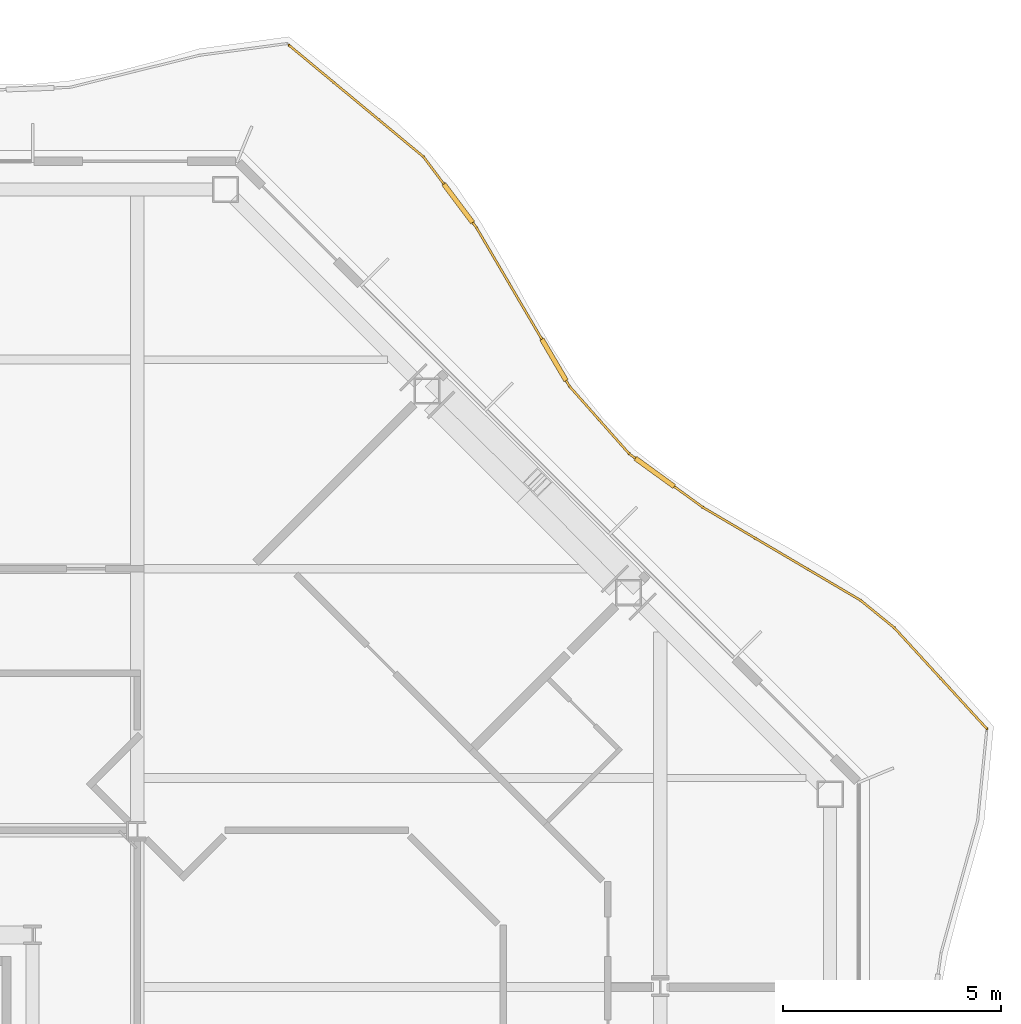
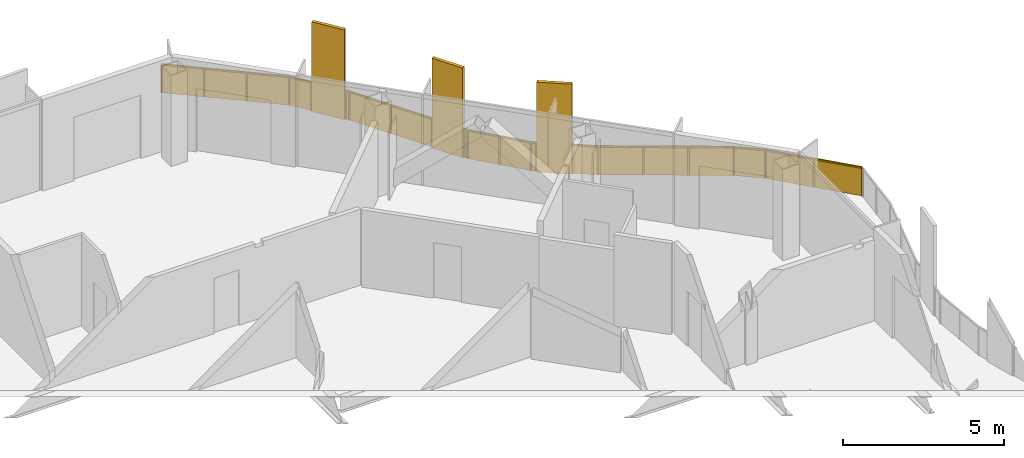
# One storey, part 21 of 21: 1 railing.
"""IFC4 building model written with IfcOpenShell, lengths in metres."""

from ifc_helpers import new_model, si_unit, direction, frame, origin, origin_2d, place, context, subcontext, project, spatial, polyline, rectangle, outline, extrude, material, type_object, element, save


model = new_model("IFC4")

# Units and contexts
model_context = context("Model", 3, precision=1e-05, world=origin(), true_north=direction((0.0, 1.0)))
body_context = subcontext(model_context, "Body", "Model", "MODEL_VIEW")
ifc_project = project(units=[si_unit("LENGTHUNIT", "METRE"), si_unit("AREAUNIT", "SQUARE_METRE"), si_unit("VOLUMEUNIT", "CUBIC_METRE"), si_unit("PLANEANGLEUNIT", "RADIAN"), si_unit("MASSUNIT", "GRAM", prefix="KILO")], contexts=[model_context])

# Site, building, storey
site_placement = place(None, origin())
site = spatial("IfcSite", under=ifc_project, at=site_placement, CompositionType="ELEMENT")
building_placement = place(site_placement, origin())
building = spatial("IfcBuilding", under=site, at=building_placement, Name="Cairn Pilgrim Tower", CompositionType="ELEMENT")
storey_placement = place(building_placement, frame((0.0, 0.0, 157.800048828125)))
storey = spatial("IfcBuildingStorey", under=building, at=storey_placement, Name="L39", CompositionType="ELEMENT", Elevation=157.800048828125)

# Railing
ifc_material = material(Name="Bronze anodised aluminium rail, posts and fin screens with laminated glass infill", Category="aluminium")
railing_type = type_object("IfcRailingType", Name="BALCONY GUARD WITH FIN SCREENS", PredefinedType="GUARDRAIL", material=ifc_material)
railing_placement = place(storey_placement, frame((38.694580078125, 15.52880859375, 0.0)))
element("IfcRailing", 1, at=railing_placement, inside=storey, type_object=railing_type, Name="Balcony guard BGF-4 with fin screens", PredefinedType="GUARDRAIL", context=body_context, shape_type="SweptSolid", body=[
    extrude(rectangle(XDim=0.050048828125, YDim=0.050048828125, at=origin_2d()), frame((0.0, 0.0, 1.0751953125), z_axis=(-0.675629630631, 0.737241210333, 0.0), x_axis=(-0.737241210333, -0.675629630631, 0.0)), (0.0, 0.0, 1.0), 3.142333984375),
    extrude(rectangle(XDim=0.050048828125, YDim=0.050048828125, at=origin_2d()), frame((-2.123046875, 2.316650390625, 1.0751953125), z_axis=(-0.775487030339, 0.631363497342, 0.0), x_axis=(-0.631363497342, -0.775487030339, 0.0)), (0.0, 0.0, 1.0), 1.001220703125),
    extrude(rectangle(XDim=0.050048828125, YDim=0.050048828125, at=origin_2d()), frame((-2.8994140625, 2.94873046875, 1.0751953125), z_axis=(-0.86139458177, 0.507936388239, 0.0), x_axis=(-0.507936388239, -0.86139458177, 0.0)), (0.0, 0.0, 1.0), 4.202392578125),
    extrude(rectangle(XDim=1.10009765625, YDim=0.110107421875, at=origin_2d()), frame((-7.618896484375, 5.88232421875, 0.0), z_axis=(0.0, 0.0, 1.0), x_axis=(-0.80892840952, 0.587907159568, 0.0)), (0.0, 0.0, 1.0), 3.39990234375),
    extrude(rectangle(XDim=0.050048828125, YDim=0.050048828125, at=origin_2d()), frame((-6.519287109375, 5.083251953125, 1.0751953125), z_axis=(-0.80892840952, 0.587907159568, 0.0), x_axis=(-0.587907159568, -0.80892840952, 0.0)), (0.0, 0.0, 1.0), 0.809326171875),
    extrude(rectangle(XDim=0.050048828125, YDim=0.050048828125, at=origin_2d()), frame((-8.063720703125, 6.205810546875, 1.0751953125), z_axis=(-0.80892840952, 0.587907159568, 0.0), x_axis=(-0.587907159568, -0.80892840952, 0.0)), (0.0, 0.0, 1.0), 0.17626953125),
    extrude(rectangle(XDim=0.050048828125, YDim=0.050048828125, at=origin_2d()), frame((-8.206298828125, 6.309326171875, 1.0751953125), z_axis=(-0.662708672742, 0.748877303083, 0.0), x_axis=(-0.748877303083, -0.662708672742, 0.0)), (0.0, 0.0, 1.0), 2.071044921875),
    extrude(rectangle(XDim=1.10009765625, YDim=0.110107421875, at=origin_2d()), frame((-9.932861328125, 8.46435546875, 0.0), z_axis=(0.0, 0.0, 1.0), x_axis=(-0.505688288357, 0.862716265651, 0.0)), (0.0, 0.0, 1.0), 3.39990234375),
    extrude(rectangle(XDim=0.050048828125, YDim=0.050048828125, at=origin_2d()), frame((-9.578857421875, 7.8603515625, 1.0751953125), z_axis=(-0.505688288357, 0.862716265651, 0.0), x_axis=(-0.862716265651, -0.505688288357, 0.0)), (0.0, 0.0, 1.0), 0.150146484375),
    extrude(rectangle(XDim=0.050048828125, YDim=0.050048828125, at=origin_2d()), frame((-10.2109375, 8.938720703125, 1.0751953125), z_axis=(-0.505688288357, 0.862716265651, 0.0), x_axis=(-0.862716265651, -0.505688288357, 0.0)), (0.0, 0.0, 1.0), 2.965576171875),
    extrude(rectangle(XDim=1.10009765625, YDim=0.110107421875, at=origin_2d()), frame((-12.129638671875, 12.057861328125, 0.0), z_axis=(0.0, 0.0, 1.0), x_axis=(-0.598826222825, 0.800878988897, 0.0)), (0.0, 0.0, 1.0), 3.39990234375),
    extrude(rectangle(XDim=0.050048828125, YDim=0.050048828125, at=origin_2d()), frame((-11.710693359375, 11.497314453125, 1.0751953125), z_axis=(-0.598826222825, 0.800878988897, 0.0), x_axis=(-0.800878988897, -0.598826222825, 0.0)), (0.0, 0.0, 1.0), 0.149658203125),
    extrude(rectangle(XDim=0.050048828125, YDim=0.050048828125, at=origin_2d()), frame((-12.458984375, 12.498291015625, 1.0751953125), z_axis=(-0.598826222825, 0.800878988897, 0.0), x_axis=(-0.800878988897, -0.598826222825, 0.0)), (0.0, 0.0, 1.0), 0.781494140625),
    extrude(rectangle(XDim=0.050048828125, YDim=0.050048828125, at=origin_2d()), frame((-12.927001953125, 13.1240234375, 1.0751953125), z_axis=(-0.769606891949, 0.638517996508, 0.0), x_axis=(-0.638517996508, -0.769606891949, 0.0)), (0.0, 0.0, 1.0), 4.009765625),
    extrude(rectangle(XDim=0.050048828125, YDim=0.050048828125, at=origin_2d()), origin(), (0.0, 0.0, 1.0), 1.050048828125),
    extrude(rectangle(XDim=0.050048828125, YDim=0.050048828125, at=origin_2d()), frame((-1.0615234375, 1.158203125, 0.0)), (0.0, 0.0, 1.0), 1.050048828125),
    extrude(rectangle(XDim=0.050048828125, YDim=0.050048828125, at=origin_2d()), frame((-2.123046875, 2.316650390625, 0.0)), (0.0, 0.0, 1.0), 1.050048828125),
    extrude(rectangle(XDim=0.050048828125, YDim=0.050048828125, at=origin_2d()), frame((-2.8994140625, 2.94873046875, 0.0)), (0.0, 0.0, 1.0), 1.050048828125),
    extrude(rectangle(XDim=0.050048828125, YDim=0.050048828125, at=origin_2d()), frame((-4.10595703125, 3.66015625, 0.0)), (0.0, 0.0, 1.0), 1.050048828125),
    extrude(rectangle(XDim=0.050048828125, YDim=0.050048828125, at=origin_2d()), frame((-5.312744140625, 4.371826171875, 0.0)), (0.0, 0.0, 1.0), 1.050048828125),
    extrude(rectangle(XDim=0.050048828125, YDim=0.050048828125, at=origin_2d()), frame((-6.519287109375, 5.083251953125, 0.0)), (0.0, 0.0, 1.0), 1.050048828125),
    extrude(rectangle(XDim=0.050048828125, YDim=0.050048828125, at=origin_2d()), frame((-7.15380859375, 5.54443359375, 0.0)), (0.0, 0.0, 1.0), 1.050048828125),
    extrude(rectangle(XDim=0.050048828125, YDim=0.050048828125, at=origin_2d()), frame((-8.083984375, 6.220458984375, 0.0)), (0.0, 0.0, 1.0), 1.050048828125),
    extrude(rectangle(XDim=0.050048828125, YDim=0.050048828125, at=origin_2d()), frame((-8.206298828125, 6.309326171875, 0.0)), (0.0, 0.0, 1.0), 1.050048828125),
    extrude(rectangle(XDim=0.050048828125, YDim=0.050048828125, at=origin_2d()), frame((-8.892578125, 7.0849609375, 0.0)), (0.0, 0.0, 1.0), 1.050048828125),
    extrude(rectangle(XDim=0.050048828125, YDim=0.050048828125, at=origin_2d()), frame((-9.578857421875, 7.8603515625, 0.0)), (0.0, 0.0, 1.0), 1.050048828125),
    extrude(rectangle(XDim=0.050048828125, YDim=0.050048828125, at=origin_2d()), frame((-9.64208984375, 7.96826171875, 0.0)), (0.0, 0.0, 1.0), 1.050048828125),
    extrude(rectangle(XDim=0.050048828125, YDim=0.050048828125, at=origin_2d()), frame((-10.2236328125, 8.96044921875, 0.0)), (0.0, 0.0, 1.0), 1.050048828125),
    extrude(rectangle(XDim=0.050048828125, YDim=0.050048828125, at=origin_2d()), frame((-10.96728515625, 10.228759765625, 0.0)), (0.0, 0.0, 1.0), 1.050048828125),
    extrude(rectangle(XDim=0.050048828125, YDim=0.050048828125, at=origin_2d()), frame((-11.710693359375, 11.497314453125, 0.0)), (0.0, 0.0, 1.0), 1.050048828125),
    extrude(rectangle(XDim=0.050048828125, YDim=0.050048828125, at=origin_2d()), frame((-11.785400390625, 11.59716796875, 0.0)), (0.0, 0.0, 1.0), 1.050048828125),
    extrude(rectangle(XDim=0.050048828125, YDim=0.050048828125, at=origin_2d()), frame((-12.47412109375, 12.518310546875, 0.0)), (0.0, 0.0, 1.0), 1.050048828125),
    extrude(rectangle(XDim=0.050048828125, YDim=0.050048828125, at=origin_2d()), frame((-12.927001953125, 13.1240234375, 0.0)), (0.0, 0.0, 1.0), 1.050048828125),
    extrude(rectangle(XDim=0.050048828125, YDim=0.050048828125, at=origin_2d()), frame((-13.95556640625, 13.9775390625, 0.0)), (0.0, 0.0, 1.0), 1.050048828125),
    extrude(rectangle(XDim=0.050048828125, YDim=0.050048828125, at=origin_2d()), frame((-14.984375, 14.830810546875, 0.0)), (0.0, 0.0, 1.0), 1.050048828125),
    extrude(rectangle(XDim=0.050048828125, YDim=0.050048828125, at=origin_2d()), frame((-16.012939453125, 15.684326171875, 0.0)), (0.0, 0.0, 1.0), 1.050048828125),
    extrude(outline(polyline([(0.02490234375, 0.0), (1.546142578125, 0.0), (1.546142578125, 1.050048828125), (0.02490234375, 1.050048828125), (0.02490234375, 0.0)])), frame((-0.00439453125, -0.004150390625, 0.0), z_axis=(0.737241210333, 0.675629630631, 0.0), x_axis=(-0.675629630631, 0.737241210333, 0.0)), (0.0, 0.0, 1.0), 0.011962890625),
    extrude(outline(polyline([(0.02490234375, 0.0), (1.546142578125, 0.0), (1.546142578125, 1.050048828125), (0.02490234375, 1.050048828125), (0.02490234375, 0.0)])), frame((-1.06591796875, 1.154296875, 0.0), z_axis=(0.737241210333, 0.675629630631, 0.0), x_axis=(-0.675629630631, 0.737241210333, 0.0)), (0.0, 0.0, 1.0), 0.011962890625),
    extrude(outline(polyline([(0.02490234375, 0.0), (0.97607421875, 0.0), (0.97607421875, 1.050048828125), (0.02490234375, 1.050048828125), (0.02490234375, 0.0)])), frame((-2.126708984375, 2.31201171875, 0.0), z_axis=(0.631363497342, 0.775487030339, 0.0), x_axis=(-0.775487030339, 0.631363497342, 0.0)), (0.0, 0.0, 1.0), 0.011962890625),
    extrude(outline(polyline([(0.02490234375, 0.0), (1.375732421875, 0.0), (1.375732421875, 1.050048828125), (0.02490234375, 1.050048828125), (0.02490234375, 0.0)])), frame((-2.90234375, 2.943603515625, 0.0), z_axis=(0.507936388239, 0.86139458177, 0.0), x_axis=(-0.86139458177, 0.507936388239, 0.0)), (0.0, 0.0, 1.0), 0.011962890625),
    extrude(outline(polyline([(0.02490234375, 0.0), (1.375732421875, 0.0), (1.375732421875, 1.050048828125), (0.02490234375, 1.050048828125), (0.02490234375, 0.0)])), frame((-4.109130859375, 3.655029296875, 0.0), z_axis=(0.507936388239, 0.86139458177, 0.0), x_axis=(-0.86139458177, 0.507936388239, 0.0)), (0.0, 0.0, 1.0), 0.011962890625),
    extrude(outline(polyline([(0.02490234375, 0.0), (1.375732421875, 0.0), (1.375732421875, 1.050048828125), (0.02490234375, 1.050048828125), (0.02490234375, 0.0)])), frame((-5.315673828125, 4.36669921875, 0.0), z_axis=(0.507936388239, 0.86139458177, 0.0), x_axis=(-0.86139458177, 0.507936388239, 0.0)), (0.0, 0.0, 1.0), 0.011962890625),
    extrude(outline(polyline([(0.02490234375, 0.0), (0.75927734375, 0.0), (0.75927734375, 1.050048828125), (0.02490234375, 1.050048828125), (0.02490234375, 0.0)])), frame((-6.522705078125, 5.078369140625, 0.0), z_axis=(0.587907159568, 0.80892840952, 0.0), x_axis=(-0.80892840952, 0.587907159568, 0.0)), (0.0, 0.0, 1.0), 0.011962890625),
    extrude(outline(polyline([(0.02490234375, 0.0), (0.126220703125, 0.0), (0.126220703125, 1.050048828125), (0.02490234375, 1.050048828125), (0.02490234375, 0.0)])), frame((-8.087646484375, 6.215576171875, 0.0), z_axis=(0.587907159568, 0.80892840952, 0.0), x_axis=(-0.80892840952, 0.587907159568, 0.0)), (0.0, 0.0, 1.0), 0.011962890625),
    extrude(outline(polyline([(0.02490234375, 0.0), (1.010498046875, 0.0), (1.010498046875, 1.050048828125), (0.02490234375, 1.050048828125), (0.02490234375, 0.0)])), frame((-8.210693359375, 6.305419921875, 0.0), z_axis=(0.748877303083, 0.662708672742, 0.0), x_axis=(-0.662708672742, 0.748877303083, 0.0)), (0.0, 0.0, 1.0), 0.011962890625),
    extrude(outline(polyline([(0.02490234375, 0.0), (1.010498046875, 0.0), (1.010498046875, 1.050048828125), (0.02490234375, 1.050048828125), (0.02490234375, 0.0)])), frame((-8.89697265625, 7.080810546875, 0.0), z_axis=(0.748877303083, 0.662708672742, 0.0), x_axis=(-0.662708672742, 0.748877303083, 0.0)), (0.0, 0.0, 1.0), 0.011962890625),
    extrude(outline(polyline([(0.02490234375, 0.0), (0.10009765625, 0.0), (0.10009765625, 1.050048828125), (0.02490234375, 1.050048828125), (0.02490234375, 0.0)])), frame((-9.583984375, 7.857421875, 0.0), z_axis=(0.862716265651, 0.505688288357, 0.0), x_axis=(-0.505688288357, 0.862716265651, 0.0)), (0.0, 0.0, 1.0), 0.011962890625),
    extrude(outline(polyline([(0.02490234375, 0.0), (1.4453125, 0.0), (1.4453125, 1.050048828125), (0.02490234375, 1.050048828125), (0.02490234375, 0.0)])), frame((-10.228759765625, 8.957275390625, 0.0), z_axis=(0.862716265651, 0.505688288357, 0.0), x_axis=(-0.505688288357, 0.862716265651, 0.0)), (0.0, 0.0, 1.0), 0.011962890625),
    extrude(outline(polyline([(0.02490234375, 0.0), (1.4453125, 0.0), (1.4453125, 1.050048828125), (0.02490234375, 1.050048828125), (0.02490234375, 0.0)])), frame((-10.972412109375, 10.225830078125, 0.0), z_axis=(0.862716265651, 0.505688288357, 0.0), x_axis=(-0.505688288357, 0.862716265651, 0.0)), (0.0, 0.0, 1.0), 0.011962890625),
    extrude(outline(polyline([(0.02490234375, 0.0), (0.099609375, 0.0), (0.099609375, 1.050048828125), (0.02490234375, 1.050048828125), (0.02490234375, 0.0)])), frame((-11.715576171875, 11.49365234375, 0.0), z_axis=(0.800878988897, 0.598826222825, 0.0), x_axis=(-0.598826222825, 0.800878988897, 0.0)), (0.0, 0.0, 1.0), 0.011962890625),
    extrude(outline(polyline([(0.02490234375, 0.0), (0.7314453125, 0.0), (0.7314453125, 1.050048828125), (0.02490234375, 1.050048828125), (0.02490234375, 0.0)])), frame((-12.478759765625, 12.5146484375, 0.0), z_axis=(0.800878988897, 0.598826222825, 0.0), x_axis=(-0.598826222825, 0.800878988897, 0.0)), (0.0, 0.0, 1.0), 0.011962890625),
    extrude(outline(polyline([(0.02490234375, 0.0), (1.3115234375, 0.0), (1.3115234375, 1.050048828125), (0.02490234375, 1.050048828125), (0.02490234375, 0.0)])), frame((-12.930908203125, 13.119384765625, 0.0), z_axis=(0.638517996508, 0.769606891949, 0.0), x_axis=(-0.769606891949, 0.638517996508, 0.0)), (0.0, 0.0, 1.0), 0.011962890625),
    extrude(outline(polyline([(0.02490234375, 0.0), (1.3115234375, 0.0), (1.3115234375, 1.050048828125), (0.02490234375, 1.050048828125), (0.02490234375, 0.0)])), frame((-13.95947265625, 13.972900390625, 0.0), z_axis=(0.638517996508, 0.769606891949, 0.0), x_axis=(-0.769606891949, 0.638517996508, 0.0)), (0.0, 0.0, 1.0), 0.011962890625),
    extrude(outline(polyline([(0.02490234375, 0.0), (1.3115234375, 0.0), (1.3115234375, 1.050048828125), (0.02490234375, 1.050048828125), (0.02490234375, 0.0)])), frame((-14.988037109375, 14.826171875, 0.0), z_axis=(0.638517996508, 0.769606891949, 0.0), x_axis=(-0.769606891949, 0.638517996508, 0.0)), (0.0, 0.0, 1.0), 0.011962890625),
])

save(model, "model.ifc")
